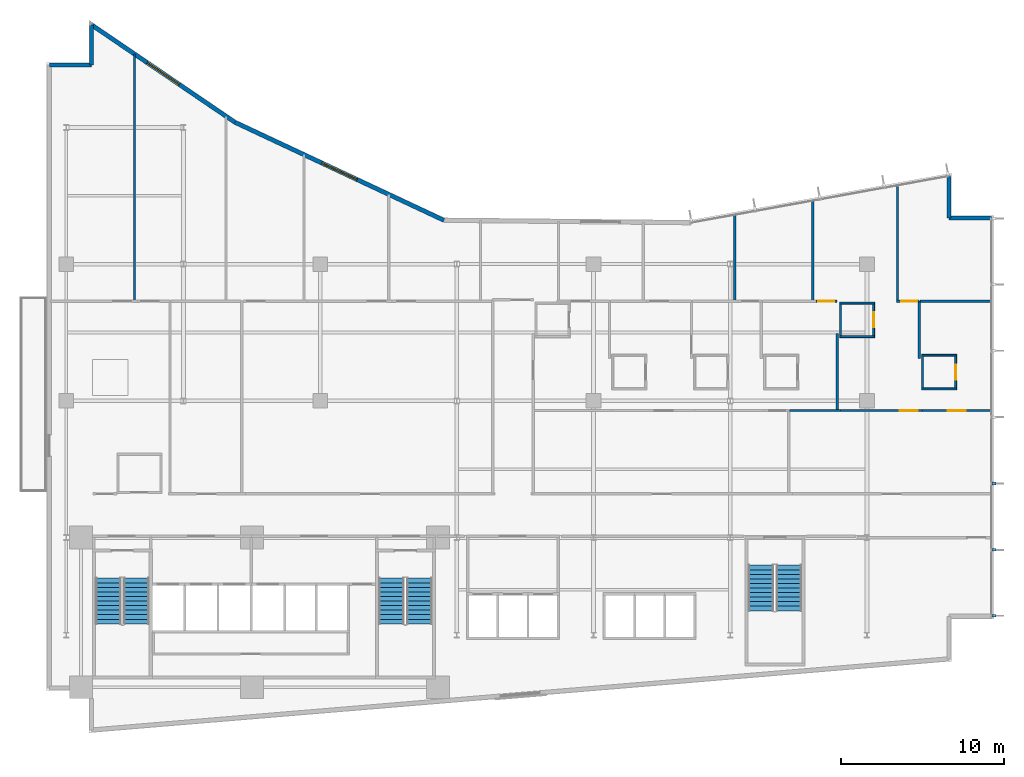
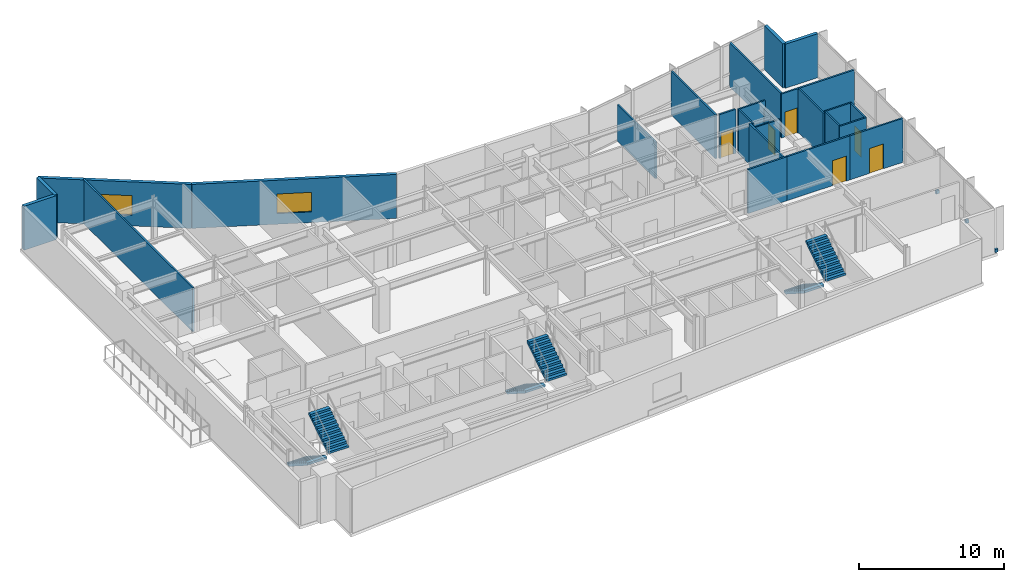
# One storey, part 15 of 22: 26 walls, 6 doors, 6 stair flights, 3 discrete accessories, 2 windows, 8 openings, 3 elements without a shape of their own.
"""IFC4 building model written with IfcOpenShell, lengths in metres."""

from ifc_helpers import new_model, si_unit, direction, frame, frame_2d, origin, origin_2d, place, context, subcontext, project, spatial, polyline, rectangle, outline, extrude, material, layer, layer_set, type_object, element, fill, aggregate, save


model = new_model("IFC4")

# Units and contexts
model_context = context("Model", 3, precision=1e-05, world=origin(), true_north=direction((0.0, 1.0)))
body_context = subcontext(model_context, "Body", "Model", "MODEL_VIEW")
ifc_project = project(units=[si_unit("LENGTHUNIT", "METRE"), si_unit("AREAUNIT", "SQUARE_METRE"), si_unit("VOLUMEUNIT", "CUBIC_METRE"), si_unit("PLANEANGLEUNIT", "RADIAN"), si_unit("MASSUNIT", "GRAM", prefix="KILO")], contexts=[model_context])

# Site, building, storey
site_placement = place(None, origin())
site = spatial("IfcSite", under=ifc_project, at=site_placement, CompositionType="ELEMENT")
building_placement = place(site_placement, origin())
building = spatial("IfcBuilding", under=site, at=building_placement, Name="Varnakote Quay Hospital", CompositionType="ELEMENT")
storey_placement = place(building_placement, frame((0.0, 0.0, 65.949951171875)))
storey = spatial("IfcBuildingStorey", under=building, at=storey_placement, Name="L16", CompositionType="ELEMENT", Elevation=65.949951171875)

# Walls
ifc_material_1 = material(Name="Moisture-resistant bathroom partition", Category="gypsum")
ifc_layer_1 = layer(ifc_material_1, 0.114990234375)
ifc_layer_set_1 = layer_set([ifc_layer_1], Name="Moisture-resistant bathroom partition")
wall_type_1 = type_object("IfcWallType", Name="WL-ENS-115", PredefinedType="PARTITIONING", material=ifc_layer_set_1)
wall_1_placement = place(storey_placement, frame((48.715087890625, 24.342529296875, 0.0), z_axis=(0.0, 0.0, 1.0), x_axis=(1.0, 0.0, 0.0)))
element("IfcWall", 1, at=wall_1_placement, inside=storey, type_object=wall_type_1, Name="L16 Inpatient En-Suite Bathroom 05 S Wall", PredefinedType="PARTITIONING", context=body_context, shape_type="SweptSolid", body=[
    extrude(rectangle(XDim=2.14990234375, YDim=0.114990234375, at=frame_2d((1.074951171875, 0.0))), origin(), (0.0, 0.0, 1.0), 3.3779296875),
])
wall_2_placement = place(storey_placement, frame((48.715087890625, 26.407470703125, 0.0), z_axis=(0.0, 0.0, 1.0), x_axis=(1.0, 0.0, 0.0)))
element("IfcWall", 2, at=wall_2_placement, inside=storey, type_object=wall_type_1, Name="L16 Inpatient En-Suite Bathroom 05 N Wall", PredefinedType="PARTITIONING", context=body_context, shape_type="SweptSolid", body=[
    extrude(rectangle(XDim=2.14990234375, YDim=0.114990234375, at=frame_2d((1.074951171875, 0.0))), origin(), (0.0, 0.0, 1.0), 3.7099609375),
])
wall_3_placement = place(storey_placement, frame((48.7724609375, 24.39990234375, 0.0), z_axis=(0.0, 0.0, 1.0), x_axis=(0.0, 1.0, 0.0)))
element("IfcWall", 3, at=wall_3_placement, inside=storey, type_object=wall_type_1, Name="L16 Inpatient En-Suite Bathroom 05 W Wall", PredefinedType="PARTITIONING", context=body_context, shape_type="SweptSolid", body=[
    extrude(rectangle(XDim=1.9501953125, YDim=0.114990234375, at=frame_2d((0.97509765625, 0.0))), origin(), (0.0, 0.0, 1.0), 3.7099609375),
])

# Wall, opening, door
wall_4_placement = place(storey_placement, frame((50.8076171875, 24.39990234375, 0.0), z_axis=(0.0, 0.0, 1.0), x_axis=(0.0, 1.0, 0.0)))
wall_4 = element("IfcWall", 4, at=wall_4_placement, inside=storey, type_object=wall_type_1, Name="L16 Inpatient En-Suite Bathroom 05 E Wall", PredefinedType="PARTITIONING", context=body_context, shape_type="SweptSolid", body=[
    extrude(rectangle(XDim=1.9501953125, YDim=0.114990234375, at=frame_2d((0.97509765625, 0.0))), origin(), (0.0, 0.0, 1.0), 3.072998046875),
])
opening_1_placement = place(wall_4_placement, frame((0.514892578125, 0.0, 0.0)))
opening_1 = element("IfcOpeningElement", 5, at=opening_1_placement, cuts=wall_4, Name="Opening D-L16-ENS05", PredefinedType="OPENING", context=body_context, shape_type="SweptSolid", body=[
    extrude(rectangle(XDim=0.919921875, YDim=2.10009765625, at=frame_2d((0.4599609375, 1.050048828125))), frame((0.0, 0.0673828125, 0.0), z_axis=(0.0, -1.0, 0.0), x_axis=(1.0, 0.0, 0.0)), (0.0, 0.0, 1.0), 0.135009765625),
])
ifc_material_2 = material(Name="Moisture-sealed en-suite bathroom door")
door_type_1 = type_object("IfcDoorType", Name="DR-ENS-920x2100", OperationType="NOTDEFINED", PredefinedType="DOOR", material=ifc_material_2)
door_1_placement = place(opening_1_placement, origin())
door_1 = element("IfcDoor", 6, at=door_1_placement, inside=storey, type_object=door_type_1, Name="L16 Inpatient En-Suite Bathroom 05 Door", OperationType="SINGLE_SWING_RIGHT", OverallHeight=2.10009765625, OverallWidth=0.919921875, PredefinedType="DOOR", context=body_context, shape_type="SweptSolid", body=[
    extrude(rectangle(XDim=0.919921875, YDim=2.10009765625, at=frame_2d((0.4599609375, 1.050048828125))), frame((0.0, 0.02490234375, 0.0), z_axis=(0.0, -1.0, 0.0), x_axis=(1.0, 0.0, 0.0)), (0.0, 0.0, 1.0), 0.050048828125),
])
fill(opening_1, door_1)

# Walls
for number, where, z_axis, x_axis, name in (
    (7, (53.7548828125, 21.132568359375, 0.0), (0.0, 0.0, 1.0), (1.0, 0.0, 0.0), "L16 Inpatient En-Suite Bathroom 06 S Wall"),
    (8, (53.7548828125, 23.197509765625, 0.0), (0.0, 0.0, 1.0), (1.0, 0.0, 0.0), "L16 Inpatient En-Suite Bathroom 06 N Wall"),
):
    element("IfcWall", number, at=place(storey_placement, frame(where, z_axis=z_axis, x_axis=x_axis)), inside=storey, type_object=wall_type_1, Name=name, PredefinedType="PARTITIONING", context=body_context, shape_type="SweptSolid", body=[
        extrude(rectangle(XDim=2.150146484375, YDim=0.114990234375, at=frame_2d((1.0751953125, 0.0))), origin(), (0.0, 0.0, 1.0), 3.7099609375),
    ])
wall_5_placement = place(storey_placement, frame((53.8125, 21.18994140625, 0.0), z_axis=(0.0, 0.0, 1.0), x_axis=(0.0, 1.0, 0.0)))
element("IfcWall", 9, at=wall_5_placement, inside=storey, type_object=wall_type_1, Name="L16 Inpatient En-Suite Bathroom 06 W Wall", PredefinedType="PARTITIONING", context=body_context, shape_type="SweptSolid", body=[
    extrude(rectangle(XDim=1.949951171875, YDim=0.114990234375, at=frame_2d((0.97509765625, 0.0))), origin(), (0.0, 0.0, 1.0), 3.7099609375),
])

# Wall, opening, door
wall_6_placement = place(storey_placement, frame((55.847412109375, 21.18994140625, 0.0), z_axis=(0.0, 0.0, 1.0), x_axis=(0.0, 1.0, 0.0)))
wall_6 = element("IfcWall", 10, at=wall_6_placement, inside=storey, type_object=wall_type_1, Name="L16 Inpatient En-Suite Bathroom 06 E Wall", PredefinedType="PARTITIONING", context=body_context, shape_type="SweptSolid", body=[
    extrude(rectangle(XDim=1.949951171875, YDim=0.114990234375, at=frame_2d((0.97509765625, 0.0))), origin(), (0.0, 0.0, 1.0), 3.7099609375),
])
opening_2_placement = place(wall_6_placement, frame((0.514892578125, 0.0, 0.0)))
opening_2 = element("IfcOpeningElement", 11, at=opening_2_placement, cuts=wall_6, Name="Opening D-L16-ENS06", PredefinedType="OPENING", context=body_context, shape_type="SweptSolid", body=[
    extrude(rectangle(XDim=0.919921875, YDim=2.10009765625, at=frame_2d((0.4599609375, 1.050048828125))), frame((0.0, 0.0673828125, 0.0), z_axis=(0.0, -1.0, 0.0), x_axis=(1.0, 0.0, 0.0)), (0.0, 0.0, 1.0), 0.135009765625),
])
door_2_placement = place(opening_2_placement, origin())
door_2 = element("IfcDoor", 12, at=door_2_placement, inside=storey, type_object=door_type_1, Name="L16 Inpatient En-Suite Bathroom 06 Door", OperationType="SINGLE_SWING_LEFT", OverallHeight=2.10009765625, OverallWidth=0.919921875, PredefinedType="DOOR", context=body_context, shape_type="SweptSolid", body=[
    extrude(rectangle(XDim=0.919921875, YDim=2.10009765625, at=frame_2d((0.4599609375, 1.050048828125))), frame((0.0, 0.02490234375, 0.0), z_axis=(0.0, -1.0, 0.0), x_axis=(1.0, 0.0, 0.0)), (0.0, 0.0, 1.0), 0.050048828125),
])
fill(opening_2, door_2)

# Walls
ifc_material_3 = material(Name="Precast concrete N50 (f'c 50 MPa)", Category="concrete")
ifc_layer_2 = layer(ifc_material_3, 0.260009765625)
ifc_layer_set_2 = layer_set([ifc_layer_2], Name="Precast concrete N50 (f'c 50 MPa)")
wall_type_2 = type_object("IfcWallType", Name="WL-EXT-BRICK-260", PredefinedType="STANDARD", material=ifc_layer_set_2)
wall_7_placement = place(storey_placement, frame((58.0400390625, 31.639892578125, 0.0), z_axis=(0.0, 0.0, 1.0), x_axis=(-1.0, 0.0, 0.0)))
element("IfcWall", 13, at=wall_7_placement, inside=storey, type_object=wall_type_2, Name="L16 Brick-Faced Precast Exterior Wall", PredefinedType="STANDARD", context=body_context, shape_type="SweptSolid", body=[
    extrude(rectangle(XDim=2.60009765625, YDim=0.260009765625, at=frame_2d((1.300048828125, 0.0))), origin(), (0.0, 0.0, 1.0), 3.7099609375),
])
wall_8_placement = place(storey_placement, frame((55.43994140625, 31.639892578125, 0.0), z_axis=(0.0, 0.0, 1.0), x_axis=(0.0, 1.0, 0.0)))
element("IfcWall", 14, at=wall_8_placement, inside=storey, type_object=wall_type_2, Name="L16 Brick-Faced Precast Exterior Wall", PredefinedType="STANDARD", context=body_context, shape_type="SweptSolid", body=[
    extrude(rectangle(XDim=2.568603515625, YDim=0.260009765625, at=frame_2d((1.2841796875, 0.0))), origin(), (0.0, 0.0, 1.0), 3.7099609375),
])

# Wall, opening, window
wall_9_placement = place(storey_placement, frame((24.40771484375, 31.4921875, 0.0), z_axis=(0.0, 0.0, 1.0), x_axis=(-0.905396522918, 0.424566998585, 0.0)))
wall_9 = element("IfcWall", 15, at=wall_9_placement, inside=storey, type_object=wall_type_2, Name="L16 Brick-Faced Precast Exterior Wall", PredefinedType="STANDARD", context=body_context, shape_type="SweptSolid", body=[
    extrude(rectangle(XDim=14.189453125, YDim=0.260009765625, at=frame_2d((7.0947265625, 0.0))), origin(), (0.0, 0.0, 1.0), 3.7099609375),
])
opening_3_placement = place(wall_9_placement, frame((5.894775390625, 0.0, 0.89990234375)))
opening_3 = element("IfcOpeningElement", 16, at=opening_3_placement, cuts=wall_9, Name="Opening WN-0080", PredefinedType="OPENING", context=body_context, shape_type="SweptSolid", body=[
    extrude(rectangle(XDim=2.39990234375, YDim=1.64990234375, at=frame_2d((1.199951171875, 0.824951171875))), frame((0.0, 0.139892578125, 0.0), z_axis=(0.0, -1.0, 0.0), x_axis=(1.0, 0.0, 0.0)), (0.0, 0.0, 1.0), 0.280029296875),
])
ifc_material_4 = material(Name="Double-glazed low-E solar glass", Category="glass")
window_type = type_object("IfcWindowType", Name="WIN-CLIN-2400x1650", PartitioningType="SINGLE_PANEL", PredefinedType="WINDOW", material=ifc_material_4)
window_1_placement = place(opening_3_placement, origin())
window_1 = element("IfcWindow", 17, at=window_1_placement, inside=storey, type_object=window_type, Name="L16 Solar-Control Clinical Window", OverallHeight=1.64990234375, OverallWidth=2.39990234375, PartitioningType="SINGLE_PANEL", PredefinedType="WINDOW", context=body_context, shape_type="SweptSolid", body=[
    extrude(rectangle(XDim=2.39990234375, YDim=1.64990234375, at=frame_2d((1.199951171875, 0.824951171875))), frame((0.0, 0.030029296875, 0.0), z_axis=(0.0, -1.0, 0.0), x_axis=(1.0, 0.0, 0.0)), (0.0, 0.0, 1.0), 0.06005859375),
])
fill(opening_3, window_1)

wall_10_placement = place(storey_placement, frame((11.560546875, 37.5166015625, 0.0), z_axis=(0.0, 0.0, 1.0), x_axis=(-0.827064743936, 0.562106670782, 0.0)))
wall_10 = element("IfcWall", 18, at=wall_10_placement, inside=storey, type_object=wall_type_2, Name="L16 Brick-Faced Precast Exterior Wall", PredefinedType="STANDARD", context=body_context, shape_type="SweptSolid", body=[
    extrude(rectangle(XDim=10.640625, YDim=0.260009765625, at=frame_2d((5.3203125, 0.0))), origin(), (0.0, 0.0, 1.0), 3.7099609375),
])
opening_4_placement = place(wall_10_placement, frame((4.120361328125, 0.0, 0.89990234375)))
opening_4 = element("IfcOpeningElement", 19, at=opening_4_placement, cuts=wall_10, Name="Opening WN-0081", PredefinedType="OPENING", context=body_context, shape_type="SweptSolid", body=[
    extrude(rectangle(XDim=2.39990234375, YDim=1.64990234375, at=frame_2d((1.199951171875, 0.824951171875))), frame((0.0, 0.139892578125, 0.0), z_axis=(0.0, -1.0, 0.0), x_axis=(1.0, 0.0, 0.0)), (0.0, 0.0, 1.0), 0.280029296875),
])
window_2_placement = place(opening_4_placement, origin())
window_2 = element("IfcWindow", 20, at=window_2_placement, inside=storey, type_object=window_type, Name="L16 Solar-Control Clinical Window", OverallHeight=1.64990234375, OverallWidth=2.39990234375, PartitioningType="SINGLE_PANEL", PredefinedType="WINDOW", context=body_context, shape_type="SweptSolid", body=[
    extrude(rectangle(XDim=2.39990234375, YDim=1.64990234375, at=frame_2d((1.199951171875, 0.824951171875))), frame((0.0, 0.030029296875, 0.0), z_axis=(0.0, -1.0, 0.0), x_axis=(1.0, 0.0, 0.0)), (0.0, 0.0, 1.0), 0.06005859375),
])
fill(opening_4, window_2)

# Walls
wall_11_placement = place(storey_placement, frame((2.760009765625, 43.497802734375, 0.0), z_axis=(0.0, 0.0, 1.0), x_axis=(0.0, -1.0, 0.0)))
element("IfcWall", 21, at=wall_11_placement, inside=storey, type_object=wall_type_2, Name="L16 Brick-Faced Precast Exterior Wall", PredefinedType="STANDARD", context=body_context, shape_type="SweptSolid", body=[
    extrude(rectangle(XDim=2.457763671875, YDim=0.260009765625, at=frame_2d((1.22900390625, 0.0))), origin(), (0.0, 0.0, 1.0), 3.7099609375),
])
wall_12_placement = place(storey_placement, frame((2.760009765625, 41.0400390625, 0.0), z_axis=(0.0, 0.0, 1.0), x_axis=(-1.0, 0.0, 0.0)))
element("IfcWall", 22, at=wall_12_placement, inside=storey, type_object=wall_type_2, Name="L16 Brick-Faced Precast Exterior Wall", PredefinedType="STANDARD", context=body_context, shape_type="SweptSolid", body=[
    extrude(rectangle(XDim=2.60009765625, YDim=0.260009765625, at=frame_2d((1.300048828125, 0.0))), origin(), (0.0, 0.0, 1.0), 3.7099609375),
])
ifc_material_5 = material(Name="Smoke-proof clinical partition", Category="gypsum")
ifc_layer_3 = layer(ifc_material_5, 0.135009765625)
ifc_layer_set_3 = layer_set([ifc_layer_3], Name="Smoke-proof clinical partition")
wall_type_3 = type_object("IfcWallType", Name="WL-SMOKE-135", PredefinedType="PARTITIONING", material=ifc_layer_set_3)
wall_13_placement = place(storey_placement, frame((48.7646484375, 19.800048828125, 0.0), z_axis=(0.0, 0.0, 1.0), x_axis=(-1.0, 0.0, 0.0)))
element("IfcWall", 23, at=wall_13_placement, inside=storey, type_object=wall_type_3, Name="L16 Clinical Interior Partition", PredefinedType="PARTITIONING", context=body_context, shape_type="SweptSolid", body=[
    extrude(rectangle(XDim=3.1171875, YDim=0.135009765625, at=frame_2d((1.55859375, 0.0))), origin(), (0.0, 0.0, 1.0), 3.7099609375),
])

# Wall, opening, door
wall_14_placement = place(storey_placement, frame((53.8046875, 19.800048828125, 0.0), z_axis=(0.0, 0.0, 1.0), x_axis=(-1.0, 0.0, 0.0)))
wall_14 = element("IfcWall", 24, at=wall_14_placement, inside=storey, type_object=wall_type_3, Name="L16 Clinical Interior Partition", PredefinedType="PARTITIONING", context=body_context, shape_type="SweptSolid", body=[
    extrude(rectangle(XDim=5.0380859375, YDim=0.135009765625, at=frame_2d((2.51904296875, 0.0))), origin(), (0.0, 0.0, 1.0), 3.7099609375),
])
opening_5_placement = place(wall_14_placement, frame((0.28857421875, 0.0, 0.0)))
opening_5 = element("IfcOpeningElement", 25, at=opening_5_placement, cuts=wall_14, Name="Opening D-L16-BR05", PredefinedType="OPENING", context=body_context, shape_type="SweptSolid", body=[
    extrude(rectangle(XDim=1.10009765625, YDim=2.10009765625, at=frame_2d((0.550048828125, 1.050048828125))), frame((0.0, 0.077392578125, 0.0), z_axis=(0.0, -1.0, 0.0), x_axis=(1.0, 0.0, 0.0)), (0.0, 0.0, 1.0), 0.155029296875),
])
ifc_material_6 = material(Name="Acoustic timber clinical consult door", Category="wood")
door_type_2 = type_object("IfcDoorType", Name="DR-CLIN-FD30S-1100x2100", OperationType="NOTDEFINED", PredefinedType="DOOR", material=ifc_material_6)
door_3_placement = place(opening_5_placement, origin())
door_3 = element("IfcDoor", 26, at=door_3_placement, inside=storey, type_object=door_type_2, Name="L16 Inpatient Clinical Treatment Room 05 Door", OperationType="SINGLE_SWING_LEFT", OverallHeight=2.10009765625, OverallWidth=1.10009765625, PredefinedType="DOOR", context=body_context, shape_type="SweptSolid", body=[
    extrude(rectangle(XDim=1.10009765625, YDim=2.10009765625, at=frame_2d((0.550048828125, 1.050048828125))), frame((0.0, 0.02490234375, 0.0), z_axis=(0.0, -1.0, 0.0), x_axis=(1.0, 0.0, 0.0)), (0.0, 0.0, 1.0), 0.050048828125),
])
fill(opening_5, door_3)

wall_15_placement = place(storey_placement, frame((58.0400390625, 19.800048828125, 0.0), z_axis=(0.0, 0.0, 1.0), x_axis=(-1.0, 0.0, 0.0)))
wall_15 = element("IfcWall", 27, at=wall_15_placement, inside=storey, type_object=wall_type_3, Name="L16 Clinical Interior Partition", PredefinedType="PARTITIONING", context=body_context, shape_type="SweptSolid", body=[
    extrude(rectangle(XDim=4.2333984375, YDim=0.135009765625, at=frame_2d((2.11669921875, 0.0))), origin(), (0.0, 0.0, 1.0), 3.7099609375),
])
opening_6_placement = place(wall_15_placement, frame((1.566650390625, 0.0, 0.0)))
opening_6 = element("IfcOpeningElement", 28, at=opening_6_placement, cuts=wall_15, Name="Opening D-L16-BR06", PredefinedType="OPENING", context=body_context, shape_type="SweptSolid", body=[
    extrude(rectangle(XDim=1.10009765625, YDim=2.10009765625, at=frame_2d((0.550048828125, 1.050048828125))), frame((0.0, 0.077392578125, 0.0), z_axis=(0.0, -1.0, 0.0), x_axis=(1.0, 0.0, 0.0)), (0.0, 0.0, 1.0), 0.155029296875),
])
door_4_placement = place(opening_6_placement, origin())
door_4 = element("IfcDoor", 29, at=door_4_placement, inside=storey, type_object=door_type_2, Name="L16 Inpatient Clinical Treatment Room 06 Door", OperationType="SINGLE_SWING_RIGHT", OverallHeight=2.10009765625, OverallWidth=1.10009765625, PredefinedType="DOOR", context=body_context, shape_type="SweptSolid", body=[
    extrude(rectangle(XDim=1.10009765625, YDim=2.10009765625, at=frame_2d((0.550048828125, 1.050048828125))), frame((0.0, 0.02490234375, 0.0), z_axis=(0.0, -1.0, 0.0), x_axis=(1.0, 0.0, 0.0)), (0.0, 0.0, 1.0), 0.050048828125),
])
fill(opening_6, door_4)

# Wall
wall_16_placement = place(storey_placement, frame((48.570068359375, 19.857421875, 0.0), z_axis=(0.0, 0.0, 1.0), x_axis=(0.0, 1.0, 0.0)))
element("IfcWall", 30, at=wall_16_placement, inside=storey, type_object=wall_type_3, Name="L16 Clinical Interior Partition", PredefinedType="PARTITIONING", context=body_context, shape_type="SweptSolid", body=[
    extrude(rectangle(XDim=4.670166015625, YDim=0.135009765625, at=frame_2d((2.3349609375, 0.0))), origin(), (0.0, 0.0, 1.0), 3.7099609375),
])

# Wall, opening, door
wall_17_placement = place(storey_placement, frame((48.570068359375, 26.52001953125, 0.0), z_axis=(0.0, 0.0, 1.0), x_axis=(-1.0, 0.0, 0.0)))
wall_17 = element("IfcWall", 31, at=wall_17_placement, inside=storey, type_object=wall_type_3, Name="L16 Clinical Interior Partition", PredefinedType="PARTITIONING", context=body_context, shape_type="SweptSolid", body=[
    extrude(rectangle(XDim=1.303466796875, YDim=0.135009765625, at=frame_2d((0.65185546875, 0.0))), origin(), (0.0, 0.0, 1.0), 3.7099609375),
])
opening_7_placement = place(wall_17_placement, frame((0.194091796875, 0.0, 0.0)))
opening_7 = element("IfcOpeningElement", 32, at=opening_7_placement, cuts=wall_17, Name="Opening D-L16-MD13", PredefinedType="OPENING", context=body_context, shape_type="SweptSolid", body=[
    extrude(rectangle(XDim=0.97998046875, YDim=2.10009765625, at=frame_2d((0.489990234375, 1.050048828125))), frame((0.0, 0.077392578125, 0.0), z_axis=(0.0, -1.0, 0.0), x_axis=(1.0, 0.0, 0.0)), (0.0, 0.0, 1.0), 0.155029296875),
])
ifc_material_7 = material(Name="Accessible sanitary compartment door")
door_type_3 = type_object("IfcDoorType", Name="DR-WC-980x2100", OperationType="NOTDEFINED", PredefinedType="DOOR", material=ifc_material_7)
door_5_placement = place(opening_7_placement, origin())
door_5 = element("IfcDoor", 33, at=door_5_placement, inside=storey, type_object=door_type_3, Name="L16 Ward Clinical Consultation Office Door", OperationType="SINGLE_SWING_LEFT", OverallHeight=2.10009765625, OverallWidth=0.97998046875, PredefinedType="DOOR", context=body_context, shape_type="SweptSolid", body=[
    extrude(rectangle(XDim=0.97998046875, YDim=2.10009765625, at=frame_2d((0.489990234375, 1.050048828125))), frame((0.0, 0.02490234375, 0.0), z_axis=(0.0, -1.0, 0.0), x_axis=(1.0, 0.0, 0.0)), (0.0, 0.0, 1.0), 0.050048828125),
])
fill(opening_7, door_5)

# Wall
wall_18_placement = place(storey_placement, frame((53.610107421875, 23.012451171875, 0.0), z_axis=(0.0, 0.0, 1.0), x_axis=(0.0, 1.0, 0.0)))
element("IfcWall", 34, at=wall_18_placement, inside=storey, type_object=wall_type_3, Name="L16 Clinical Interior Partition", PredefinedType="PARTITIONING", context=body_context, shape_type="SweptSolid", body=[
    extrude(rectangle(XDim=3.507568359375, YDim=0.135009765625, at=frame_2d((1.75390625, 0.0))), origin(), (0.0, 0.0, 1.0), 3.7099609375),
])

# Wall, opening, door
wall_19_placement = place(storey_placement, frame((53.610107421875, 26.52001953125, 0.0), z_axis=(0.0, 0.0, 1.0), x_axis=(-1.0, 0.0, 0.0)))
wall_19 = element("IfcWall", 35, at=wall_19_placement, inside=storey, type_object=wall_type_3, Name="L16 Clinical Interior Partition", PredefinedType="PARTITIONING", context=body_context, shape_type="SweptSolid", body=[
    extrude(rectangle(XDim=1.40478515625, YDim=0.135009765625, at=frame_2d((0.702392578125, 0.0))), origin(), (0.0, 0.0, 1.0), 3.7099609375),
])
opening_8_placement = place(wall_19_placement, frame((0.1328125, 0.0, 0.0)))
opening_8 = element("IfcOpeningElement", 36, at=opening_8_placement, cuts=wall_19, Name="Opening D-L16-MD14", PredefinedType="OPENING", context=body_context, shape_type="SweptSolid", body=[
    extrude(rectangle(XDim=0.97998046875, YDim=2.10009765625, at=frame_2d((0.489990234375, 1.050048828125))), frame((0.0, 0.077392578125, 0.0), z_axis=(0.0, -1.0, 0.0), x_axis=(1.0, 0.0, 0.0)), (0.0, 0.0, 1.0), 0.155029296875),
])
door_6_placement = place(opening_8_placement, origin())
door_6 = element("IfcDoor", 37, at=door_6_placement, inside=storey, type_object=door_type_3, Name="L16 Staff Clinical Handover Office Door", OperationType="SINGLE_SWING_RIGHT", OverallHeight=2.10009765625, OverallWidth=0.97998046875, PredefinedType="DOOR", context=body_context, shape_type="SweptSolid", body=[
    extrude(rectangle(XDim=0.97998046875, YDim=2.10009765625, at=frame_2d((0.489990234375, 1.050048828125))), frame((0.0, 0.02490234375, 0.0), z_axis=(0.0, -1.0, 0.0), x_axis=(1.0, 0.0, 0.0)), (0.0, 0.0, 1.0), 0.050048828125),
])
fill(opening_8, door_6)

# Walls
wall_20_placement = place(storey_placement, frame((58.0400390625, 26.52001953125, 0.0), z_axis=(0.0, 0.0, 1.0), x_axis=(-1.0, 0.0, 0.0)))
element("IfcWall", 38, at=wall_20_placement, inside=storey, type_object=wall_type_3, Name="L16 Clinical Interior Partition", PredefinedType="PARTITIONING", context=body_context, shape_type="SweptSolid", body=[
    extrude(rectangle(XDim=4.37255859375, YDim=0.135009765625, at=frame_2d((2.186279296875, 0.0))), origin(), (0.0, 0.0, 1.0), 3.7099609375),
])
wall_21_placement = place(storey_placement, frame((5.389892578125, 26.577392578125, 0.0), z_axis=(0.0, 0.0, 1.0), x_axis=(0.0, 1.0, 0.0)))
element("IfcWall", 39, at=wall_21_placement, inside=storey, type_object=wall_type_3, Name="L16 Clinical Interior Partition", PredefinedType="PARTITIONING", context=body_context, shape_type="SweptSolid", body=[
    extrude(rectangle(XDim=15.1328125, YDim=0.135009765625, at=frame_2d((7.56640625, 0.0))), origin(), (0.0, 0.0, 1.0), 3.7099609375),
])
wall_22_placement = place(storey_placement, frame((42.280029296875, 26.577392578125, 0.0), z_axis=(0.0, 0.0, 1.0), x_axis=(0.0, 1.0, 0.0)))
element("IfcWall", 40, at=wall_22_placement, inside=storey, type_object=wall_type_3, Name="L16 Clinical Interior Partition", PredefinedType="PARTITIONING", context=body_context, shape_type="SweptSolid", body=[
    extrude(rectangle(XDim=5.252685546875, YDim=0.135009765625, at=frame_2d((2.62646484375, 0.0))), origin(), (0.0, 0.0, 1.0), 3.072998046875),
])
wall_23_placement = place(storey_placement, frame((47.070068359375, 26.577392578125, 0.0), z_axis=(0.0, 0.0, 1.0), x_axis=(0.0, 1.0, 0.0)))
element("IfcWall", 41, at=wall_23_placement, inside=storey, type_object=wall_type_3, Name="L16 Clinical Interior Partition", PredefinedType="PARTITIONING", context=body_context, shape_type="SweptSolid", body=[
    extrude(rectangle(XDim=6.118408203125, YDim=0.135009765625, at=frame_2d((3.05908203125, 0.0))), origin(), (0.0, 0.0, 1.0), 3.7099609375),
])
wall_24_placement = place(storey_placement, frame((52.280029296875, 26.577392578125, 0.0), z_axis=(0.0, 0.0, 1.0), x_axis=(0.0, 1.0, 0.0)))
element("IfcWall", 42, at=wall_24_placement, inside=storey, type_object=wall_type_3, Name="L16 Clinical Interior Partition", PredefinedType="PARTITIONING", context=body_context, shape_type="SweptSolid", body=[
    extrude(rectangle(XDim=7.06005859375, YDim=0.135009765625, at=frame_2d((3.530029296875, 0.0))), origin(), (0.0, 0.0, 1.0), 3.7099609375),
])

# Stair, stair flights
ifc_material_8 = material(Name="Concrete N40 (f'c 40 MPa)", Category="concrete")
stair_type = type_object("IfcStairType", Name="STR-CORE-1580", PredefinedType="HALF_TURN_STAIR", material=ifc_material_8)
stair_1_placement = place(storey_placement, origin())
stair_1 = element("IfcStair", 43, at=stair_1_placement, inside=storey, type_object=stair_type, Name="L16 Fire-Isolated Exit Stair ST-01", PredefinedType="HALF_TURN_STAIR")
ifc_material_9 = material(Name="Concrete N40 (f'c 40 MPa)", Category="concrete")
ifc_layer_4 = layer(ifc_material_9, 0.159912109375)
ifc_layer_set_4 = layer_set([ifc_layer_4], Name="Concrete N40 (f'c 40 MPa)")
stair_flight_type = type_object("IfcStairFlightType", Name="FLT-CORE-1580", PredefinedType="STRAIGHT", material=ifc_layer_set_4)
stair_flight_1_placement = place(storey_placement, frame((3.7900390625, 9.5, 0.0), z_axis=(0.0, 0.0, 1.0), x_axis=(0.0, -1.0, 0.0)))
stair_flight_1 = element("IfcStairFlight", 44, at=stair_flight_1_placement, type_object=stair_flight_type, Name="ST-01 flight 1", NumberOfRisers=11, NumberOfTreads=10, PredefinedType="STRAIGHT", RiserHeight=0.179545455, TreadLength=0.28, context=body_context, shape_type="SweptSolid", body=[
    extrude(outline(polyline([(0.0, 0.0), (0.0, 0.179443359375), (0.280029296875, 0.179443359375), (0.280029296875, 0.359130859375), (0.56005859375, 0.359130859375), (0.56005859375, 0.53857421875), (0.840087890625, 0.53857421875), (0.840087890625, 0.71826171875), (1.1201171875, 0.71826171875), (1.1201171875, 0.897705078125), (1.39990234375, 0.897705078125), (1.39990234375, 1.077392578125), (1.679931640625, 1.077392578125), (1.679931640625, 1.2568359375), (1.9599609375, 1.2568359375), (1.9599609375, 1.436279296875), (2.239990234375, 1.436279296875), (2.239990234375, 1.615966796875), (2.52001953125, 1.615966796875), (2.52001953125, 1.79541015625), (2.800048828125, 1.79541015625), (2.800048828125, 1.97509765625), (2.800048828125, 1.60546875), (0.296142578125, 0.0), (0.0, 0.0)])), frame((0.0, 0.7900390625, 0.0), z_axis=(0.0, -1.0, 0.0), x_axis=(1.0, 0.0, 0.0)), (0.0, 0.0, 1.0), 1.580078125),
])
stair_flight_2_placement = place(storey_placement, frame((5.510009765625, 6.699951171875, 1.97509765625), z_axis=(0.0, 0.0, 1.0), x_axis=(0.0, 1.0, 0.0)))
stair_flight_2 = element("IfcStairFlight", 45, at=stair_flight_2_placement, type_object=stair_flight_type, Name="ST-01 flight 2", NumberOfRisers=11, NumberOfTreads=10, PredefinedType="STRAIGHT", RiserHeight=0.179545455, TreadLength=0.28, context=body_context, shape_type="SweptSolid", body=[
    extrude(outline(polyline([(0.0, 0.0), (0.0, 0.179443359375), (0.280029296875, 0.179443359375), (0.280029296875, 0.359130859375), (0.56005859375, 0.359130859375), (0.56005859375, 0.53857421875), (0.840087890625, 0.53857421875), (0.840087890625, 0.71826171875), (1.1201171875, 0.71826171875), (1.1201171875, 0.897705078125), (1.39990234375, 0.897705078125), (1.39990234375, 1.077392578125), (1.679931640625, 1.077392578125), (1.679931640625, 1.2568359375), (1.9599609375, 1.2568359375), (1.9599609375, 1.436279296875), (2.239990234375, 1.436279296875), (2.239990234375, 1.615966796875), (2.52001953125, 1.615966796875), (2.52001953125, 1.79541015625), (2.800048828125, 1.79541015625), (2.800048828125, 1.97509765625), (2.800048828125, 1.60546875), (0.296142578125, 0.0), (0.0, 0.0)])), frame((0.0, 0.7900390625, 0.0), z_axis=(0.0, -1.0, 0.0), x_axis=(1.0, 0.0, 0.0)), (0.0, 0.0, 1.0), 1.580078125),
])
aggregate(stair_1, [stair_flight_1, stair_flight_2])

stair_2_placement = place(storey_placement, origin())
stair_2 = element("IfcStair", 46, at=stair_2_placement, inside=storey, type_object=stair_type, Name="L16 Fire-Isolated Exit Stair ST-02", PredefinedType="HALF_TURN_STAIR")
stair_flight_3_placement = place(storey_placement, frame((21.18994140625, 9.5, 0.0), z_axis=(0.0, 0.0, 1.0), x_axis=(0.0, -1.0, 0.0)))
stair_flight_3 = element("IfcStairFlight", 47, at=stair_flight_3_placement, type_object=stair_flight_type, Name="ST-02 flight 1", NumberOfRisers=11, NumberOfTreads=10, PredefinedType="STRAIGHT", RiserHeight=0.179545455, TreadLength=0.28, context=body_context, shape_type="SweptSolid", body=[
    extrude(outline(polyline([(0.0, 0.0), (0.0, 0.179443359375), (0.280029296875, 0.179443359375), (0.280029296875, 0.359130859375), (0.56005859375, 0.359130859375), (0.56005859375, 0.53857421875), (0.840087890625, 0.53857421875), (0.840087890625, 0.71826171875), (1.1201171875, 0.71826171875), (1.1201171875, 0.897705078125), (1.39990234375, 0.897705078125), (1.39990234375, 1.077392578125), (1.679931640625, 1.077392578125), (1.679931640625, 1.2568359375), (1.9599609375, 1.2568359375), (1.9599609375, 1.436279296875), (2.239990234375, 1.436279296875), (2.239990234375, 1.615966796875), (2.52001953125, 1.615966796875), (2.52001953125, 1.79541015625), (2.800048828125, 1.79541015625), (2.800048828125, 1.97509765625), (2.800048828125, 1.60546875), (0.296142578125, 0.0), (0.0, 0.0)])), frame((0.0, 0.7900390625, 0.0), z_axis=(0.0, -1.0, 0.0), x_axis=(1.0, 0.0, 0.0)), (0.0, 0.0, 1.0), 1.580078125),
])
stair_flight_4_placement = place(storey_placement, frame((22.909912109375, 6.699951171875, 1.97509765625), z_axis=(0.0, 0.0, 1.0), x_axis=(0.0, 1.0, 0.0)))
stair_flight_4 = element("IfcStairFlight", 48, at=stair_flight_4_placement, type_object=stair_flight_type, Name="ST-02 flight 2", NumberOfRisers=11, NumberOfTreads=10, PredefinedType="STRAIGHT", RiserHeight=0.179545455, TreadLength=0.28, context=body_context, shape_type="SweptSolid", body=[
    extrude(outline(polyline([(0.0, 0.0), (0.0, 0.179443359375), (0.280029296875, 0.179443359375), (0.280029296875, 0.359130859375), (0.56005859375, 0.359130859375), (0.56005859375, 0.53857421875), (0.840087890625, 0.53857421875), (0.840087890625, 0.71826171875), (1.1201171875, 0.71826171875), (1.1201171875, 0.897705078125), (1.39990234375, 0.897705078125), (1.39990234375, 1.077392578125), (1.679931640625, 1.077392578125), (1.679931640625, 1.2568359375), (1.9599609375, 1.2568359375), (1.9599609375, 1.436279296875), (2.239990234375, 1.436279296875), (2.239990234375, 1.615966796875), (2.52001953125, 1.615966796875), (2.52001953125, 1.79541015625), (2.800048828125, 1.79541015625), (2.800048828125, 1.97509765625), (2.800048828125, 1.60546875), (0.296142578125, 0.0), (0.0, 0.0)])), frame((0.0, 0.7900390625, 0.0), z_axis=(0.0, -1.0, 0.0), x_axis=(1.0, 0.0, 0.0)), (0.0, 0.0, 1.0), 1.580078125),
])
aggregate(stair_2, [stair_flight_3, stair_flight_4])

stair_3_placement = place(storey_placement, origin())
stair_3 = element("IfcStair", 49, at=stair_3_placement, inside=storey, type_object=stair_type, Name="L16 Fire-Isolated Exit Stair ST-03", PredefinedType="HALF_TURN_STAIR")
stair_flight_5_placement = place(storey_placement, frame((43.889892578125, 10.300048828125, 0.0), z_axis=(0.0, 0.0, 1.0), x_axis=(0.0, -1.0, 0.0)))
stair_flight_5 = element("IfcStairFlight", 50, at=stair_flight_5_placement, type_object=stair_flight_type, Name="ST-03 flight 1", NumberOfRisers=11, NumberOfTreads=10, PredefinedType="STRAIGHT", RiserHeight=0.179545455, TreadLength=0.28, context=body_context, shape_type="SweptSolid", body=[
    extrude(outline(polyline([(0.0, 0.0), (0.0, 0.179443359375), (0.280029296875, 0.179443359375), (0.280029296875, 0.359130859375), (0.56005859375, 0.359130859375), (0.56005859375, 0.53857421875), (0.840087890625, 0.53857421875), (0.840087890625, 0.71826171875), (1.1201171875, 0.71826171875), (1.1201171875, 0.897705078125), (1.39990234375, 0.897705078125), (1.39990234375, 1.077392578125), (1.679931640625, 1.077392578125), (1.679931640625, 1.2568359375), (1.9599609375, 1.2568359375), (1.9599609375, 1.436279296875), (2.239990234375, 1.436279296875), (2.239990234375, 1.615966796875), (2.52001953125, 1.615966796875), (2.52001953125, 1.79541015625), (2.800048828125, 1.79541015625), (2.800048828125, 1.97509765625), (2.800048828125, 1.60546875), (0.296142578125, 0.0), (0.0, 0.0)])), frame((0.0, 0.7900390625, 0.0), z_axis=(0.0, -1.0, 0.0), x_axis=(1.0, 0.0, 0.0)), (0.0, 0.0, 1.0), 1.580078125),
])
stair_flight_6_placement = place(storey_placement, frame((45.610107421875, 7.5, 1.97509765625), z_axis=(0.0, 0.0, 1.0), x_axis=(0.0, 1.0, 0.0)))
stair_flight_6 = element("IfcStairFlight", 51, at=stair_flight_6_placement, type_object=stair_flight_type, Name="ST-03 flight 2", NumberOfRisers=11, NumberOfTreads=10, PredefinedType="STRAIGHT", RiserHeight=0.179545455, TreadLength=0.28, context=body_context, shape_type="SweptSolid", body=[
    extrude(outline(polyline([(0.0, 0.0), (0.0, 0.179443359375), (0.280029296875, 0.179443359375), (0.280029296875, 0.359130859375), (0.56005859375, 0.359130859375), (0.56005859375, 0.53857421875), (0.840087890625, 0.53857421875), (0.840087890625, 0.71826171875), (1.1201171875, 0.71826171875), (1.1201171875, 0.897705078125), (1.39990234375, 0.897705078125), (1.39990234375, 1.077392578125), (1.679931640625, 1.077392578125), (1.679931640625, 1.2568359375), (1.9599609375, 1.2568359375), (1.9599609375, 1.436279296875), (2.239990234375, 1.436279296875), (2.239990234375, 1.615966796875), (2.52001953125, 1.615966796875), (2.52001953125, 1.79541015625), (2.800048828125, 1.79541015625), (2.800048828125, 1.97509765625), (2.800048828125, 1.60546875), (0.296142578125, 0.0), (0.0, 0.0)])), frame((0.0, 0.7900390625, 0.0), z_axis=(0.0, -1.0, 0.0), x_axis=(1.0, 0.0, 0.0)), (0.0, 0.0, 1.0), 1.580078125),
])
aggregate(stair_3, [stair_flight_5, stair_flight_6])

# Discrete accessories
ifc_material_10 = material(Name="Anodised aluminium 6063-T6 Bronze", Category="aluminium")
discrete_accessory_type = type_object("IfcDiscreteAccessoryType", Name="ACC-FIN-BRACKET-180", PredefinedType="BRACKET", material=ifc_material_10)
for number, where, z_axis, x_axis, name in (
    (52, (58.2099609375, 7.197509765625, 0.0), (0.0, 0.0, 1.0), (0.0, 1.0, 0.0), "L16 Curtain Wall Fin Fixing Bracket"),
    (53, (58.2099609375, 11.239990234375, 0.0), (0.0, 0.0, 1.0), (0.0, 1.0, 0.0), "L16 Curtain Wall Fin Fixing Bracket"),
    (54, (58.2099609375, 15.320068359375, 0.0), (0.0, 0.0, 1.0), (0.0, 1.0, 0.0), "L16 Curtain Wall Fin Fixing Bracket"),
):
    element("IfcDiscreteAccessory", number, at=place(storey_placement, frame(where, z_axis=z_axis, x_axis=x_axis)), inside=storey, type_object=discrete_accessory_type, Name=name, PredefinedType="BRACKET", context=body_context, shape_type="SweptSolid", body=[
        extrude(rectangle(XDim=0.159912109375, YDim=0.239990234375, at=origin_2d()), origin(), (0.0, 0.0, 1.0), 0.280029296875),
    ])

save(model, "model.ifc")
